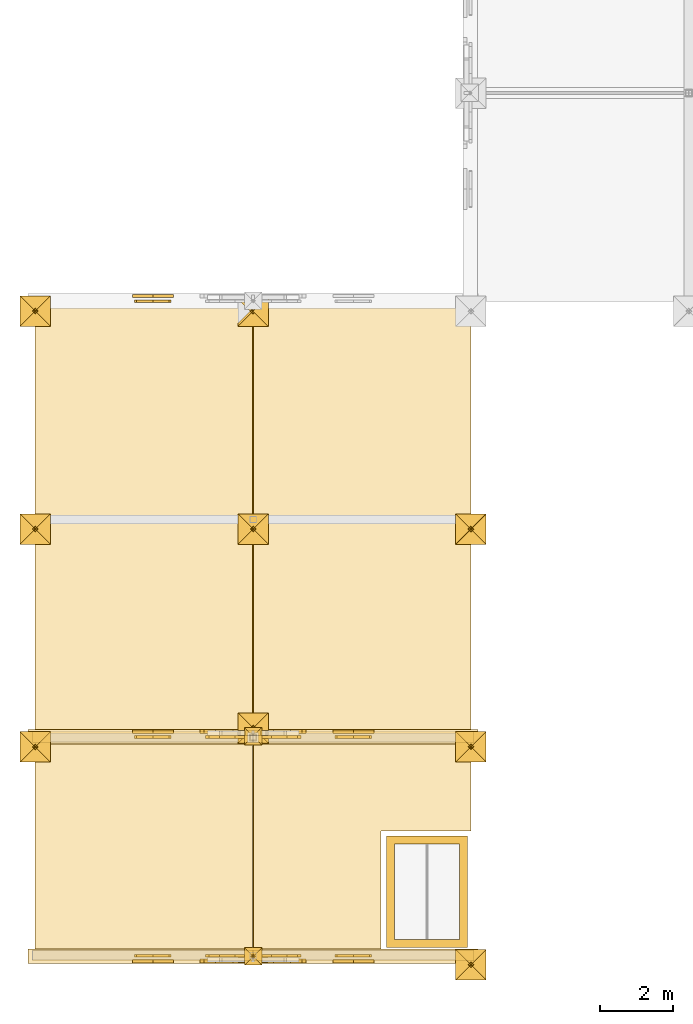
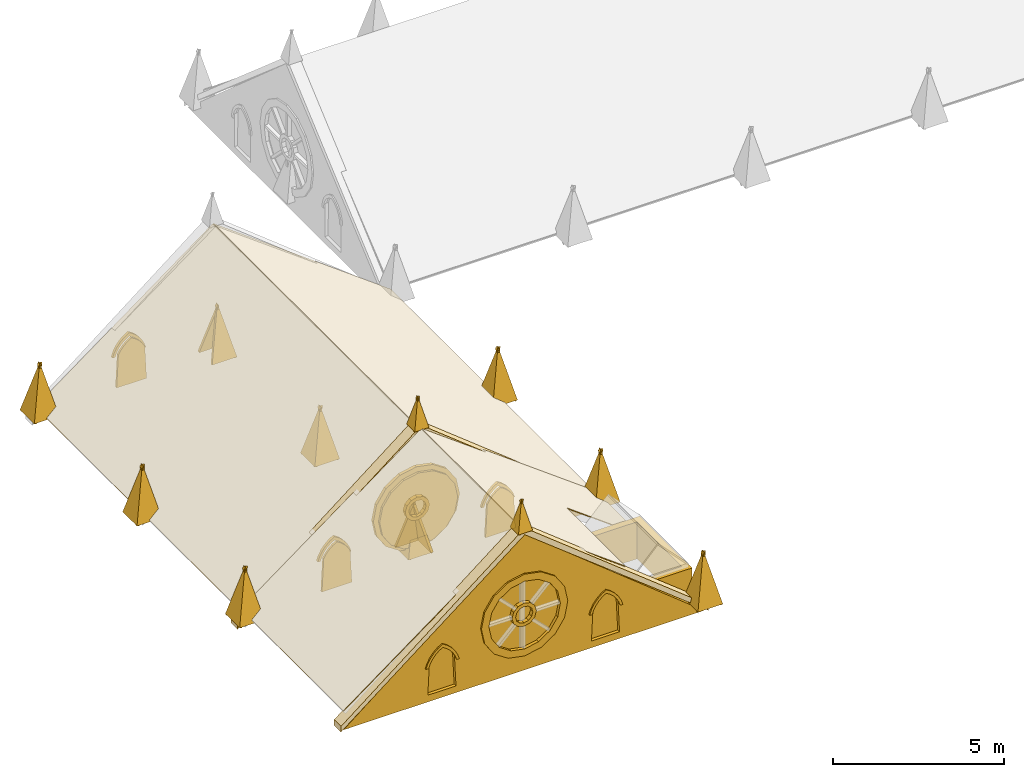
# One storey, part 24 of 33: 68 coverings.
"""IFC4 building model written with IfcOpenShell, lengths in metres."""

from ifc_helpers import new_model, si_unit, direction, frame, origin, place, context, subcontext, project, spatial, polyline, outline, extrude, material, type_object, element, save


model = new_model("IFC4")

# Units and contexts
model_context = context("Model", 3, precision=1e-05, world=origin(), true_north=direction((0.0, 1.0)))
body_context = subcontext(model_context, "Body", "Model", "MODEL_VIEW")
ifc_project = project(units=[si_unit("LENGTHUNIT", "METRE"), si_unit("AREAUNIT", "SQUARE_METRE"), si_unit("VOLUMEUNIT", "CUBIC_METRE"), si_unit("PLANEANGLEUNIT", "RADIAN"), si_unit("MASSUNIT", "GRAM", prefix="KILO")], contexts=[model_context])

# Site, building, storey
site_placement = place(None, origin())
site = spatial("IfcSite", under=ifc_project, at=site_placement, CompositionType="ELEMENT")
building_placement = place(site_placement, origin())
building = spatial("IfcBuilding", under=site, at=building_placement, Name="Cumevento Cable Car Station", CompositionType="ELEMENT")
storey_placement = place(building_placement, frame((0.0, 0.0, 22.5)))
storey = spatial("IfcBuildingStorey", under=building, at=storey_placement, Name="RF", CompositionType="ELEMENT", Elevation=22.5)

# Coverings
ifc_material_1 = material(Name="Standing-Seam Zinc-Titanium Roof Sheet", Category="steel")
covering_type_1 = type_object("IfcCoveringType", Name="Standing-Seam Zinc Roofing CV-RF01", PredefinedType="ROOFING", material=ifc_material_1)
covering_1_placement = place(storey_placement, frame((10.0, 33.0, 0.489990234375), z_axis=(-0.595687400945, 0.0, 0.803216359616), x_axis=(0.0, -1.0, 0.0)))
element("IfcCovering", 1, at=covering_1_placement, inside=storey, type_object=covering_type_1, Name="Standing-Seam Zinc Roof Covering #35", PredefinedType="ROOFING", context=body_context, shape_type="SweptSolid", body=[
    extrude(outline(polyline([(0.0, 0.0), (6.0, 0.0), (6.0, 7.4514261944767135), (0.0, 7.4514261944767135), (0.0, 0.0)])), origin(), (0.0, 0.0, -1.0), 0.02587890625),
])
covering_2_placement = place(storey_placement, frame((16.014892578125, 33.0, 4.9287109375), z_axis=(0.595694544947, -9.689588e-06, 0.80321106132), x_axis=(-5.772035e-06, -0.999999999953, -7.782784e-06)))
element("IfcCovering", 2, at=covering_2_placement, inside=storey, type_object=covering_type_1, Name="Standing-Seam Zinc Roof Covering #36", PredefinedType="ROOFING", context=body_context, shape_type="SweptSolid", body=[
    extrude(outline(polyline([(0.0, 0.0), (5.9999999997183355, 0.0), (6.000000000202813, 4.36392986396565), (2.5800781253633582, 4.36392986396565), (2.580078124236701, 7.451426194181976), (-6.421800784214382e-10, 7.451426194181976), (0.0, 0.0)])), origin(), (0.0, 0.0, -1.0), 0.02587890625),
])
for number, where, z_axis, x_axis, name in (
    (3, (10.0, 45.0, 0.42138671875), (-0.595687400945, 0.0, 0.803216359616), (0.0, -1.0, 0.0), "Standing-Seam Zinc Roof Covering #37"),
    (4, (16.014892578125, 45.0, 4.860107421875), (0.595687400945, 0.0, 0.803216359616), (0.0, -1.0, 0.0), "Standing-Seam Zinc Roof Covering #38"),
):
    element("IfcCovering", number, at=place(storey_placement, frame(where, z_axis=z_axis, x_axis=x_axis)), inside=storey, type_object=covering_type_1, Name=name, PredefinedType="ROOFING", context=body_context, shape_type="SweptSolid", body=[
        extrude(outline(polyline([(0.0, 0.0), (12.0, 0.0), (12.0, 7.4514261944767135), (0.0, 7.4514261944767135), (0.0, 0.0)])), origin(), (0.0, 0.0, -1.0), 0.02587890625),
    ])
ifc_material_2 = material(Name="Gnaisse Facoidal Stone Ashlar 85 MPa", Category="masonry")
covering_type_2 = type_object("IfcCoveringType", Name="Gnaisse Ashlar Cladding CV-CL01", PredefinedType="CLADDING", material=ifc_material_2)
for number, where, z_axis, x_axis, name in (
    (5, (9.580078125, 33.159912109375, 0.3701171875), (0.0, 0.973845107191, 0.227212911607), (1.0, 0.0, 0.0), "Gothic Buttress Pinnacle Spire Facet 1 bt:10.0:33.0"),
    (6, (10.419921875, 33.159912109375, 0.3701171875), (0.973845107191, 0.0, 0.227212911607), (0.0, -1.0, 0.0), "Gothic Buttress Pinnacle Spire Facet 2 bt:10.0:33.0"),
    (7, (10.419921875, 32.320068359375, 0.3701171875), (0.0, -0.973845107191, 0.227212911607), (-1.0, 0.0, 0.0), "Gothic Buttress Pinnacle Spire Facet 3 bt:10.0:33.0"),
    (8, (9.580078125, 32.320068359375, 0.3701171875), (-0.973845107191, 0.0, 0.227212911607), (0.0, 1.0, 0.0), "Gothic Buttress Pinnacle Spire Facet 4 bt:10.0:33.0"),
    (9, (9.580078125, 39.159912109375, 0.3701171875), (0.0, 0.973845107191, 0.227212911607), (1.0, 0.0, 0.0), "Gothic Buttress Pinnacle Spire Facet 1 bt:10.0:39.0"),
    (10, (10.419921875, 39.159912109375, 0.3701171875), (0.973845107191, 0.0, 0.227212911607), (0.0, -1.0, 0.0), "Gothic Buttress Pinnacle Spire Facet 2 bt:10.0:39.0"),
    (11, (10.419921875, 38.320068359375, 0.3701171875), (0.0, -0.973845107191, 0.227212911607), (-1.0, 0.0, 0.0), "Gothic Buttress Pinnacle Spire Facet 3 bt:10.0:39.0"),
    (12, (9.580078125, 38.320068359375, 0.3701171875), (-0.973845107191, 0.0, 0.227212911607), (0.0, 1.0, 0.0), "Gothic Buttress Pinnacle Spire Facet 4 bt:10.0:39.0"),
    (13, (9.580078125, 45.159912109375, 0.3701171875), (0.0, 0.973845107191, 0.227212911607), (1.0, 0.0, 0.0), "Gothic Buttress Pinnacle Spire Facet 1 bt:10.0:45.0"),
    (14, (10.419921875, 45.159912109375, 0.3701171875), (0.973845107191, 0.0, 0.227212911607), (0.0, -1.0, 0.0), "Gothic Buttress Pinnacle Spire Facet 2 bt:10.0:45.0"),
    (15, (10.419921875, 44.320068359375, 0.3701171875), (0.0, -0.973845107191, 0.227212911607), (-1.0, 0.0, 0.0), "Gothic Buttress Pinnacle Spire Facet 3 bt:10.0:45.0"),
    (16, (9.580078125, 44.320068359375, 0.3701171875), (-0.973845107191, 0.0, 0.227212911607), (0.0, 1.0, 0.0), "Gothic Buttress Pinnacle Spire Facet 4 bt:10.0:45.0"),
    (17, (16.419921875, 32.840087890625, 0.3701171875), (0.0, -0.973845107191, 0.227212911607), (-1.0, 0.0, 0.0), "Gothic Buttress Pinnacle Spire Facet 1 bt:16.0:33.0"),
    (18, (15.580078125, 32.840087890625, 0.3701171875), (-0.973845107191, 0.0, 0.227212911607), (0.0, 1.0, 0.0), "Gothic Buttress Pinnacle Spire Facet 2 bt:16.0:33.0"),
    (19, (15.580078125, 33.679931640625, 0.3701171875), (0.0, 0.973845107191, 0.227212911607), (1.0, 0.0, 0.0), "Gothic Buttress Pinnacle Spire Facet 3 bt:16.0:33.0"),
    (20, (16.419921875, 33.679931640625, 0.3701171875), (0.973845107191, 0.0, 0.227212911607), (0.0, -1.0, 0.0), "Gothic Buttress Pinnacle Spire Facet 4 bt:16.0:33.0"),
    (21, (15.580078125, 39.159912109375, 0.3701171875), (0.0, 0.973845107191, 0.227212911607), (1.0, 0.0, 0.0), "Gothic Buttress Pinnacle Spire Facet 1 bt:16.0:39.0"),
    (22, (16.419921875, 39.159912109375, 0.3701171875), (0.973845107191, 0.0, 0.227212911607), (0.0, -1.0, 0.0), "Gothic Buttress Pinnacle Spire Facet 2 bt:16.0:39.0"),
    (23, (16.419921875, 38.320068359375, 0.3701171875), (0.0, -0.973845107191, 0.227212911607), (-1.0, 0.0, 0.0), "Gothic Buttress Pinnacle Spire Facet 3 bt:16.0:39.0"),
    (24, (15.580078125, 38.320068359375, 0.3701171875), (-0.973845107191, 0.0, 0.227212911607), (0.0, 1.0, 0.0), "Gothic Buttress Pinnacle Spire Facet 4 bt:16.0:39.0"),
    (25, (15.580078125, 45.159912109375, 0.3701171875), (0.0, 0.973845107191, 0.227212911607), (1.0, 0.0, 0.0), "Gothic Buttress Pinnacle Spire Facet 1 bt:16.0:45.0"),
    (26, (16.419921875, 45.159912109375, 0.3701171875), (0.973845107191, 0.0, 0.227212911607), (0.0, -1.0, 0.0), "Gothic Buttress Pinnacle Spire Facet 2 bt:16.0:45.0"),
    (27, (16.419921875, 44.320068359375, 0.3701171875), (0.0, -0.973845107191, 0.227212911607), (-1.0, 0.0, 0.0), "Gothic Buttress Pinnacle Spire Facet 3 bt:16.0:45.0"),
    (28, (21.580078125, 27.159912109375, 0.3701171875), (0.0, 0.973845107191, 0.227212911607), (1.0, 0.0, 0.0), "Gothic Buttress Pinnacle Spire Facet 1 bt:22.0:27.0"),
    (29, (22.419921875, 27.159912109375, 0.3701171875), (0.973845107191, 0.0, 0.227212911607), (0.0, -1.0, 0.0), "Gothic Buttress Pinnacle Spire Facet 2 bt:22.0:27.0"),
    (30, (22.419921875, 26.320068359375, 0.3701171875), (0.0, -0.973845107191, 0.227212911607), (-1.0, 0.0, 0.0), "Gothic Buttress Pinnacle Spire Facet 3 bt:22.0:27.0"),
    (31, (21.580078125, 26.320068359375, 0.3701171875), (-0.973845107191, 0.0, 0.227212911607), (0.0, 1.0, 0.0), "Gothic Buttress Pinnacle Spire Facet 4 bt:22.0:27.0"),
    (32, (21.580078125, 33.159912109375, 0.3701171875), (0.0, 0.973845107191, 0.227212911607), (1.0, 0.0, 0.0), "Gothic Buttress Pinnacle Spire Facet 1 bt:22.0:33.0"),
    (33, (22.419921875, 33.159912109375, 0.3701171875), (0.973845107191, 0.0, 0.227212911607), (0.0, -1.0, 0.0), "Gothic Buttress Pinnacle Spire Facet 2 bt:22.0:33.0"),
    (34, (22.419921875, 32.320068359375, 0.3701171875), (0.0, -0.973845107191, 0.227212911607), (-1.0, 0.0, 0.0), "Gothic Buttress Pinnacle Spire Facet 3 bt:22.0:33.0"),
    (35, (21.580078125, 32.320068359375, 0.3701171875), (-0.973845107191, 0.0, 0.227212911607), (0.0, 1.0, 0.0), "Gothic Buttress Pinnacle Spire Facet 4 bt:22.0:33.0"),
    (36, (21.580078125, 39.159912109375, 0.3701171875), (0.0, 0.973845107191, 0.227212911607), (1.0, 0.0, 0.0), "Gothic Buttress Pinnacle Spire Facet 1 bt:22.0:39.0"),
    (37, (22.419921875, 39.159912109375, 0.3701171875), (0.973845107191, 0.0, 0.227212911607), (0.0, -1.0, 0.0), "Gothic Buttress Pinnacle Spire Facet 2 bt:22.0:39.0"),
    (38, (22.419921875, 38.320068359375, 0.3701171875), (0.0, -0.973845107191, 0.227212911607), (-1.0, 0.0, 0.0), "Gothic Buttress Pinnacle Spire Facet 3 bt:22.0:39.0"),
    (39, (21.580078125, 38.320068359375, 0.3701171875), (-0.973845107191, 0.0, 0.227212911607), (0.0, 1.0, 0.0), "Gothic Buttress Pinnacle Spire Facet 4 bt:22.0:39.0"),
):
    element("IfcCovering", number, at=place(storey_placement, frame(where, z_axis=z_axis, x_axis=x_axis)), inside=storey, type_object=covering_type_2, Name=name, PredefinedType="CLADDING", context=body_context, shape_type="SweptSolid", body=[
        extrude(outline(polyline([(0.0, 0.0), (0.83984375, 0.0), (0.419921875, -1.848142660686801), (0.0, 0.0)])), origin(), (0.0, 0.0, -1.0), 0.0849609375),
    ])
placement_1 = place(storey_placement, frame((22.0, 27.0, 0.0), z_axis=(0.0, 0.0, 1.0), x_axis=(-1.0, 0.0, 0.0)))
element("IfcCovering", 40, at=placement_1, inside=storey, type_object=covering_type_2, Name="Gothic Stone Gable Tympanum wing_B_V6b_core_S", PredefinedType="CLADDING", context=body_context, shape_type="SweptSolid", body=[
    extrude(outline(polyline([(-0.080078125, -0.06005859375), (12.080078125, -0.06005859375), (6.0, 4.81005859375), (-0.080078125, -0.06005859375)]), holes=[polyline([(7.277099609375, 1.939208984375), (7.179931640625, 2.427978515625), (6.903076171875, 2.84228515625), (6.48876953125, 3.119140625), (6.0, 3.21630859375), (5.51123046875, 3.119140625), (5.096923828125, 2.84228515625), (4.820068359375, 2.427978515625), (4.722900390625, 1.939208984375), (4.820068359375, 1.45068359375), (5.096923828125, 1.0361328125), (5.51123046875, 0.759521484375), (6.0, 0.662109375), (6.48876953125, 0.759521484375), (6.903076171875, 1.0361328125), (7.179931640625, 1.45068359375), (7.277099609375, 1.939208984375)]), polyline([(2.764892578125, 0.179931640625), (3.715087890625, 0.179931640625), (3.662109375, 1.29736328125), (3.5859375, 1.43408203125), (3.48828125, 1.556396484375), (3.3720703125, 1.660888671875), (3.239990234375, 1.744873046875), (3.10791015625, 1.660888671875), (2.99169921875, 1.556396484375), (2.89404296875, 1.43408203125), (2.81787109375, 1.29736328125), (2.764892578125, 0.179931640625)]), polyline([(8.284912109375, 0.179931640625), (9.235107421875, 0.179931640625), (9.182373046875, 1.29736328125), (9.10595703125, 1.43408203125), (9.00830078125, 1.556396484375), (8.89208984375, 1.660888671875), (8.760009765625, 1.744873046875), (8.6279296875, 1.660888671875), (8.51171875, 1.556396484375), (8.4140625, 1.43408203125), (8.337646484375, 1.29736328125), (8.284912109375, 0.179931640625)])]), frame((0.0, 0.159912109375, 0.0), z_axis=(0.0, -1.0, 0.0), x_axis=(1.0, 0.0, 0.0)), (0.0, 0.0, 1.0), 0.300048828125),
])
element("IfcCovering", 41, at=placement_1, inside=storey, type_object=covering_type_2, Name="Gothic Gable Recessed Tracery Backing wing_B_V6b_core_S rose", PredefinedType="CLADDING", context=body_context, shape_type="SweptSolid", body=[
    extrude(outline(polyline([(7.317138671875, 1.939208984375), (7.216796875, 2.443359375), (6.931396484375, 2.87060546875), (6.504150390625, 3.15625), (6.0, 3.25634765625), (5.495849609375, 3.15625), (5.068603515625, 2.87060546875), (4.783203125, 2.443359375), (4.682861328125, 1.939208984375), (4.783203125, 1.435302734375), (5.068603515625, 1.008056640625), (5.495849609375, 0.722412109375), (6.0, 0.622314453125), (6.504150390625, 0.722412109375), (6.931396484375, 1.008056640625), (7.216796875, 1.435302734375), (7.317138671875, 1.939208984375)])), frame((0.0, 0.050048828125, 0.0), z_axis=(0.0, -1.0, 0.0), x_axis=(1.0, 0.0, 0.0)), (0.0, 0.0, 1.0), 0.074951171875),
])
element("IfcCovering", 42, at=placement_1, inside=storey, type_object=covering_type_2, Name="Gothic Gable Recessed Tracery Backing wing_B_V6b_core_S lancet_0", PredefinedType="CLADDING", context=body_context, shape_type="SweptSolid", body=[
    extrude(outline(polyline([(2.735107421875, 0.14990234375), (3.7451171875, 0.14990234375), (3.686767578125, 1.3037109375), (3.60498046875, 1.44482421875), (3.501220703125, 1.57080078125), (3.37841796875, 1.678466796875), (3.239990234375, 1.764892578125), (3.1015625, 1.678466796875), (2.978759765625, 1.57080078125), (2.875, 1.44482421875), (2.793212890625, 1.3037109375), (2.735107421875, 0.14990234375)])), frame((0.0, 0.050048828125, 0.0), z_axis=(0.0, -1.0, 0.0), x_axis=(1.0, 0.0, 0.0)), (0.0, 0.0, 1.0), 0.074951171875),
])
element("IfcCovering", 43, at=placement_1, inside=storey, type_object=covering_type_2, Name="Gothic Gable Recessed Tracery Backing wing_B_V6b_core_S lancet_1", PredefinedType="CLADDING", context=body_context, shape_type="SweptSolid", body=[
    extrude(outline(polyline([(8.2548828125, 0.14990234375), (9.264892578125, 0.14990234375), (9.20703125, 1.3037109375), (9.125, 1.44482421875), (9.021240234375, 1.57080078125), (8.8984375, 1.678466796875), (8.760009765625, 1.764892578125), (8.62158203125, 1.678466796875), (8.498779296875, 1.57080078125), (8.39501953125, 1.44482421875), (8.31298828125, 1.3037109375), (8.2548828125, 0.14990234375)])), frame((0.0, 0.050048828125, 0.0), z_axis=(0.0, -1.0, 0.0), x_axis=(1.0, 0.0, 0.0)), (0.0, 0.0, 1.0), 0.074951171875),
])
element("IfcCovering", 44, at=placement_1, inside=storey, type_object=covering_type_2, Name="Gothic 16-Sided Stone Rose Window Ring wing_B_V6b_core_S", PredefinedType="CLADDING", context=body_context, shape_type="SweptSolid", body=[
    extrude(outline(polyline([(7.45703125, 1.939208984375), (7.34619140625, 2.496826171875), (7.0302734375, 2.9697265625), (6.5576171875, 3.285400390625), (6.0, 3.396484375), (5.4423828125, 3.285400390625), (4.9697265625, 2.9697265625), (4.65380859375, 2.496826171875), (4.54296875, 1.939208984375), (4.65380859375, 1.381591796875), (4.9697265625, 0.908935546875), (5.4423828125, 0.593017578125), (6.0, 0.482177734375), (6.5576171875, 0.593017578125), (7.0302734375, 0.908935546875), (7.34619140625, 1.381591796875), (7.45703125, 1.939208984375)]), holes=[polyline([(7.20703125, 1.939208984375), (7.115234375, 2.401123046875), (6.853515625, 2.79296875), (6.4619140625, 3.054443359375), (6.0, 3.146484375), (5.5380859375, 3.054443359375), (5.146484375, 2.79296875), (4.884765625, 2.401123046875), (4.79296875, 1.939208984375), (4.884765625, 1.477294921875), (5.146484375, 1.085693359375), (5.5380859375, 0.823974609375), (6.0, 0.732177734375), (6.4619140625, 0.823974609375), (6.853515625, 1.085693359375), (7.115234375, 1.477294921875), (7.20703125, 1.939208984375)])]), frame((0.0, 0.215087890625, 0.0), z_axis=(0.0, -1.0, 0.0), x_axis=(1.0, 0.0, 0.0)), (0.0, 0.0, 1.0), 0.110107421875),
])
element("IfcCovering", 45, at=placement_1, inside=storey, type_object=covering_type_2, Name="Gothic Rose Central Stone Oculus Hub wing_B_V6b_core_S", PredefinedType="CLADDING", context=body_context, shape_type="SweptSolid", body=[
    extrude(outline(polyline([(6.412109375, 1.939208984375), (6.356689453125, 2.145263671875), (6.2060546875, 2.296142578125), (6.0, 2.351318359375), (5.7939453125, 2.296142578125), (5.643310546875, 2.145263671875), (5.587890625, 1.939208984375), (5.643310546875, 1.7333984375), (5.7939453125, 1.58251953125), (6.0, 1.52734375), (6.2060546875, 1.58251953125), (6.356689453125, 1.7333984375), (6.412109375, 1.939208984375)]), holes=[polyline([(6.2919921875, 1.939208984375), (6.2529296875, 2.085205078125), (6.14599609375, 2.192138671875), (6.0, 2.231201171875), (5.85400390625, 2.192138671875), (5.7470703125, 2.085205078125), (5.7080078125, 1.939208984375), (5.7470703125, 1.793212890625), (5.85400390625, 1.6865234375), (6.0, 1.647216796875), (6.14599609375, 1.6865234375), (6.2529296875, 1.793212890625), (6.2919921875, 1.939208984375)])]), frame((0.0, 0.18994140625, 0.0), z_axis=(0.0, -1.0, 0.0), x_axis=(1.0, 0.0, 0.0)), (0.0, 0.0, 1.0), 0.139892578125),
])
element("IfcCovering", 46, at=placement_1, inside=storey, type_object=covering_type_2, Name="Gable Lancet Stone Hood Moulding wing_B_V6b_core_S #1", PredefinedType="CLADDING", context=body_context, shape_type="SweptSolid", body=[
    extrude(outline(polyline([(2.764892578125, 1.150146484375), (2.81787109375, 1.29736328125), (2.89404296875, 1.43408203125), (2.99169921875, 1.556396484375), (3.10791015625, 1.660888671875), (3.239990234375, 1.744873046875), (3.3720703125, 1.660888671875), (3.48828125, 1.556396484375), (3.5859375, 1.43408203125), (3.662109375, 1.29736328125), (3.715087890625, 1.150146484375), (3.804931640625, 1.150146484375), (3.742919921875, 1.326904296875), (3.65283203125, 1.4912109375), (3.53662109375, 1.637939453125), (3.397705078125, 1.763671875), (3.239990234375, 1.86474609375), (3.082275390625, 1.763671875), (2.943359375, 1.637939453125), (2.8271484375, 1.4912109375), (2.737060546875, 1.326904296875), (2.675048828125, 1.150146484375), (2.764892578125, 1.150146484375)])), frame((0.0, 0.205078125, 0.0), z_axis=(0.0, -1.0, 0.0), x_axis=(1.0, 0.0, 0.0)), (0.0, 0.0, 1.0), 0.090087890625),
])
element("IfcCovering", 47, at=placement_1, inside=storey, type_object=covering_type_2, Name="Gable Lancet Stone Hood Moulding wing_B_V6b_core_S #2", PredefinedType="CLADDING", context=body_context, shape_type="SweptSolid", body=[
    extrude(outline(polyline([(8.284912109375, 1.150146484375), (8.337646484375, 1.29736328125), (8.4140625, 1.43408203125), (8.51171875, 1.556396484375), (8.6279296875, 1.660888671875), (8.760009765625, 1.744873046875), (8.89208984375, 1.660888671875), (9.00830078125, 1.556396484375), (9.10595703125, 1.43408203125), (9.182373046875, 1.29736328125), (9.235107421875, 1.150146484375), (9.324951171875, 1.150146484375), (9.262939453125, 1.326904296875), (9.1728515625, 1.4912109375), (9.056640625, 1.637939453125), (8.917724609375, 1.763671875), (8.760009765625, 1.86474609375), (8.602294921875, 1.763671875), (8.46337890625, 1.637939453125), (8.34716796875, 1.4912109375), (8.257080078125, 1.326904296875), (8.195068359375, 1.150146484375), (8.284912109375, 1.150146484375)])), frame((0.0, 0.205078125, 0.0), z_axis=(0.0, -1.0, 0.0), x_axis=(1.0, 0.0, 0.0)), (0.0, 0.0, 1.0), 0.090087890625),
])
element("IfcCovering", 48, at=placement_1, inside=storey, type_object=covering_type_2, Name="Raking Gothic Stone Gable Coping wing_B_V6b_core_S", PredefinedType="CLADDING", context=body_context, shape_type="SweptSolid", body=[
    extrude(outline(polyline([(-0.199951171875, -0.06005859375), (6.0, 4.81005859375), (12.199951171875, -0.06005859375), (12.199951171875, 0.139892578125), (6.0, 5.050048828125), (-0.199951171875, 0.139892578125), (-0.199951171875, -0.06005859375)])), frame((0.0, 0.219970703125, 0.0), z_axis=(0.0, -1.0, 0.0), x_axis=(1.0, 0.0, 0.0)), (0.0, 0.0, 1.0), 0.39990234375),
])
for number, where, z_axis, x_axis, name in (
    (49, (16.239990234375, 27.2099609375, 4.909912109375), (0.0, 0.97486272659, 0.222806338116), (-1.0, 0.0, 0.0), "Gothic Gable Finial Spire Facet 1 wing_B_V6b_core_S"),
    (50, (15.760009765625, 27.2099609375, 4.909912109375), (-0.97486272659, 0.0, 0.222806338116), (0.0, -1.0, 0.0), "Gothic Gable Finial Spire Facet 2 wing_B_V6b_core_S"),
    (51, (15.760009765625, 26.72998046875, 4.909912109375), (0.0, -0.97486272659, 0.222806338116), (1.0, 0.0, 0.0), "Gothic Gable Finial Spire Facet 3 wing_B_V6b_core_S"),
    (52, (16.239990234375, 26.72998046875, 4.909912109375), (0.97486272659, 0.0, 0.222806338116), (0.0, 1.0, 0.0), "Gothic Gable Finial Spire Facet 4 wing_B_V6b_core_S"),
):
    element("IfcCovering", number, at=place(storey_placement, frame(where, z_axis=z_axis, x_axis=x_axis)), inside=storey, type_object=covering_type_2, Name=name, PredefinedType="CLADDING", context=body_context, shape_type="SweptSolid", body=[
        extrude(outline(polyline([(0.0, 0.0), (0.47998046875, 0.0), (0.239990234375, 1.0771248089437238), (0.0, 0.0)])), origin(), (0.0, 0.0, -1.0), 0.06494140625),
    ])
placement_2 = place(storey_placement, frame((10.0, 33.0, 0.0), z_axis=(0.0, 0.0, 1.0), x_axis=(1.0, 0.0, 0.0)))
element("IfcCovering", 53, at=placement_2, inside=storey, type_object=covering_type_2, Name="Gothic Stone Gable Tympanum wing_B_V6b_core_N", PredefinedType="CLADDING", context=body_context, shape_type="SweptSolid", body=[
    extrude(outline(polyline([(-0.080078125, -0.06005859375), (12.080078125, -0.06005859375), (6.0, 4.81005859375), (-0.080078125, -0.06005859375)]), holes=[polyline([(7.277099609375, 1.939208984375), (7.179931640625, 2.427978515625), (6.903076171875, 2.84228515625), (6.48876953125, 3.119140625), (6.0, 3.21630859375), (5.51123046875, 3.119140625), (5.096923828125, 2.84228515625), (4.820068359375, 2.427978515625), (4.722900390625, 1.939208984375), (4.820068359375, 1.45068359375), (5.096923828125, 1.0361328125), (5.51123046875, 0.759521484375), (6.0, 0.662109375), (6.48876953125, 0.759521484375), (6.903076171875, 1.0361328125), (7.179931640625, 1.45068359375), (7.277099609375, 1.939208984375)]), polyline([(2.764892578125, 0.179931640625), (3.715087890625, 0.179931640625), (3.662109375, 1.29736328125), (3.5859375, 1.43408203125), (3.48828125, 1.556396484375), (3.3720703125, 1.660888671875), (3.239990234375, 1.744873046875), (3.10791015625, 1.660888671875), (2.99169921875, 1.556396484375), (2.89404296875, 1.43408203125), (2.81787109375, 1.29736328125), (2.764892578125, 0.179931640625)]), polyline([(8.284912109375, 0.179931640625), (9.235107421875, 0.179931640625), (9.182373046875, 1.29736328125), (9.10595703125, 1.43408203125), (9.00830078125, 1.556396484375), (8.89208984375, 1.660888671875), (8.760009765625, 1.744873046875), (8.6279296875, 1.660888671875), (8.51171875, 1.556396484375), (8.4140625, 1.43408203125), (8.337646484375, 1.29736328125), (8.284912109375, 0.179931640625)])]), frame((0.0, 0.159912109375, 0.0), z_axis=(0.0, -1.0, 0.0), x_axis=(1.0, 0.0, 0.0)), (0.0, 0.0, 1.0), 0.300048828125),
])
element("IfcCovering", 54, at=placement_2, inside=storey, type_object=covering_type_2, Name="Gothic Gable Recessed Tracery Backing wing_B_V6b_core_N rose", PredefinedType="CLADDING", context=body_context, shape_type="SweptSolid", body=[
    extrude(outline(polyline([(7.317138671875, 1.939208984375), (7.216796875, 2.443359375), (6.931396484375, 2.87060546875), (6.504150390625, 3.15625), (6.0, 3.25634765625), (5.495849609375, 3.15625), (5.068603515625, 2.87060546875), (4.783203125, 2.443359375), (4.682861328125, 1.939208984375), (4.783203125, 1.435302734375), (5.068603515625, 1.008056640625), (5.495849609375, 0.722412109375), (6.0, 0.622314453125), (6.504150390625, 0.722412109375), (6.931396484375, 1.008056640625), (7.216796875, 1.435302734375), (7.317138671875, 1.939208984375)])), frame((0.0, 0.050048828125, 0.0), z_axis=(0.0, -1.0, 0.0), x_axis=(1.0, 0.0, 0.0)), (0.0, 0.0, 1.0), 0.074951171875),
])
element("IfcCovering", 55, at=placement_2, inside=storey, type_object=covering_type_2, Name="Gothic Gable Recessed Tracery Backing wing_B_V6b_core_N lancet_0", PredefinedType="CLADDING", context=body_context, shape_type="SweptSolid", body=[
    extrude(outline(polyline([(2.735107421875, 0.14990234375), (3.7451171875, 0.14990234375), (3.686767578125, 1.3037109375), (3.60498046875, 1.44482421875), (3.501220703125, 1.57080078125), (3.37841796875, 1.678466796875), (3.239990234375, 1.764892578125), (3.1015625, 1.678466796875), (2.978759765625, 1.57080078125), (2.875, 1.44482421875), (2.793212890625, 1.3037109375), (2.735107421875, 0.14990234375)])), frame((0.0, 0.050048828125, 0.0), z_axis=(0.0, -1.0, 0.0), x_axis=(1.0, 0.0, 0.0)), (0.0, 0.0, 1.0), 0.074951171875),
])
element("IfcCovering", 56, at=placement_2, inside=storey, type_object=covering_type_2, Name="Gothic Gable Recessed Tracery Backing wing_B_V6b_core_N lancet_1", PredefinedType="CLADDING", context=body_context, shape_type="SweptSolid", body=[
    extrude(outline(polyline([(8.2548828125, 0.14990234375), (9.264892578125, 0.14990234375), (9.20703125, 1.3037109375), (9.125, 1.44482421875), (9.021240234375, 1.57080078125), (8.8984375, 1.678466796875), (8.760009765625, 1.764892578125), (8.62158203125, 1.678466796875), (8.498779296875, 1.57080078125), (8.39501953125, 1.44482421875), (8.31298828125, 1.3037109375), (8.2548828125, 0.14990234375)])), frame((0.0, 0.050048828125, 0.0), z_axis=(0.0, -1.0, 0.0), x_axis=(1.0, 0.0, 0.0)), (0.0, 0.0, 1.0), 0.074951171875),
])
element("IfcCovering", 57, at=placement_2, inside=storey, type_object=covering_type_2, Name="Gothic 16-Sided Stone Rose Window Ring wing_B_V6b_core_N", PredefinedType="CLADDING", context=body_context, shape_type="SweptSolid", body=[
    extrude(outline(polyline([(7.45703125, 1.939208984375), (7.34619140625, 2.496826171875), (7.0302734375, 2.9697265625), (6.5576171875, 3.285400390625), (6.0, 3.396484375), (5.4423828125, 3.285400390625), (4.9697265625, 2.9697265625), (4.65380859375, 2.496826171875), (4.54296875, 1.939208984375), (4.65380859375, 1.381591796875), (4.9697265625, 0.908935546875), (5.4423828125, 0.593017578125), (6.0, 0.482177734375), (6.5576171875, 0.593017578125), (7.0302734375, 0.908935546875), (7.34619140625, 1.381591796875), (7.45703125, 1.939208984375)]), holes=[polyline([(7.20703125, 1.939208984375), (7.115234375, 2.401123046875), (6.853515625, 2.79296875), (6.4619140625, 3.054443359375), (6.0, 3.146484375), (5.5380859375, 3.054443359375), (5.146484375, 2.79296875), (4.884765625, 2.401123046875), (4.79296875, 1.939208984375), (4.884765625, 1.477294921875), (5.146484375, 1.085693359375), (5.5380859375, 0.823974609375), (6.0, 0.732177734375), (6.4619140625, 0.823974609375), (6.853515625, 1.085693359375), (7.115234375, 1.477294921875), (7.20703125, 1.939208984375)])]), frame((0.0, 0.215087890625, 0.0), z_axis=(0.0, -1.0, 0.0), x_axis=(1.0, 0.0, 0.0)), (0.0, 0.0, 1.0), 0.110107421875),
])
element("IfcCovering", 58, at=placement_2, inside=storey, type_object=covering_type_2, Name="Gothic Rose Central Stone Oculus Hub wing_B_V6b_core_N", PredefinedType="CLADDING", context=body_context, shape_type="SweptSolid", body=[
    extrude(outline(polyline([(6.412109375, 1.939208984375), (6.356689453125, 2.145263671875), (6.2060546875, 2.296142578125), (6.0, 2.351318359375), (5.7939453125, 2.296142578125), (5.643310546875, 2.145263671875), (5.587890625, 1.939208984375), (5.643310546875, 1.7333984375), (5.7939453125, 1.58251953125), (6.0, 1.52734375), (6.2060546875, 1.58251953125), (6.356689453125, 1.7333984375), (6.412109375, 1.939208984375)]), holes=[polyline([(6.2919921875, 1.939208984375), (6.2529296875, 2.085205078125), (6.14599609375, 2.192138671875), (6.0, 2.231201171875), (5.85400390625, 2.192138671875), (5.7470703125, 2.085205078125), (5.7080078125, 1.939208984375), (5.7470703125, 1.793212890625), (5.85400390625, 1.6865234375), (6.0, 1.647216796875), (6.14599609375, 1.6865234375), (6.2529296875, 1.793212890625), (6.2919921875, 1.939208984375)])]), frame((0.0, 0.18994140625, 0.0), z_axis=(0.0, -1.0, 0.0), x_axis=(1.0, 0.0, 0.0)), (0.0, 0.0, 1.0), 0.139892578125),
])
element("IfcCovering", 59, at=placement_2, inside=storey, type_object=covering_type_2, Name="Gable Lancet Stone Hood Moulding wing_B_V6b_core_N #1", PredefinedType="CLADDING", context=body_context, shape_type="SweptSolid", body=[
    extrude(outline(polyline([(2.764892578125, 1.150146484375), (2.81787109375, 1.29736328125), (2.89404296875, 1.43408203125), (2.99169921875, 1.556396484375), (3.10791015625, 1.660888671875), (3.239990234375, 1.744873046875), (3.3720703125, 1.660888671875), (3.48828125, 1.556396484375), (3.5859375, 1.43408203125), (3.662109375, 1.29736328125), (3.715087890625, 1.150146484375), (3.804931640625, 1.150146484375), (3.742919921875, 1.326904296875), (3.65283203125, 1.4912109375), (3.53662109375, 1.637939453125), (3.397705078125, 1.763671875), (3.239990234375, 1.86474609375), (3.082275390625, 1.763671875), (2.943359375, 1.637939453125), (2.8271484375, 1.4912109375), (2.737060546875, 1.326904296875), (2.675048828125, 1.150146484375), (2.764892578125, 1.150146484375)])), frame((0.0, 0.205078125, 0.0), z_axis=(0.0, -1.0, 0.0), x_axis=(1.0, 0.0, 0.0)), (0.0, 0.0, 1.0), 0.090087890625),
])
element("IfcCovering", 60, at=placement_2, inside=storey, type_object=covering_type_2, Name="Gable Lancet Stone Hood Moulding wing_B_V6b_core_N #2", PredefinedType="CLADDING", context=body_context, shape_type="SweptSolid", body=[
    extrude(outline(polyline([(8.284912109375, 1.150146484375), (8.337646484375, 1.29736328125), (8.4140625, 1.43408203125), (8.51171875, 1.556396484375), (8.6279296875, 1.660888671875), (8.760009765625, 1.744873046875), (8.89208984375, 1.660888671875), (9.00830078125, 1.556396484375), (9.10595703125, 1.43408203125), (9.182373046875, 1.29736328125), (9.235107421875, 1.150146484375), (9.324951171875, 1.150146484375), (9.262939453125, 1.326904296875), (9.1728515625, 1.4912109375), (9.056640625, 1.637939453125), (8.917724609375, 1.763671875), (8.760009765625, 1.86474609375), (8.602294921875, 1.763671875), (8.46337890625, 1.637939453125), (8.34716796875, 1.4912109375), (8.257080078125, 1.326904296875), (8.195068359375, 1.150146484375), (8.284912109375, 1.150146484375)])), frame((0.0, 0.205078125, 0.0), z_axis=(0.0, -1.0, 0.0), x_axis=(1.0, 0.0, 0.0)), (0.0, 0.0, 1.0), 0.090087890625),
])
element("IfcCovering", 61, at=placement_2, inside=storey, type_object=covering_type_2, Name="Raking Gothic Stone Gable Coping wing_B_V6b_core_N", PredefinedType="CLADDING", context=body_context, shape_type="SweptSolid", body=[
    extrude(outline(polyline([(-0.199951171875, -0.06005859375), (6.0, 4.81005859375), (12.199951171875, -0.06005859375), (12.199951171875, 0.139892578125), (6.0, 5.050048828125), (-0.199951171875, 0.139892578125), (-0.199951171875, -0.06005859375)])), frame((0.0, 0.219970703125, 0.0), z_axis=(0.0, -1.0, 0.0), x_axis=(1.0, 0.0, 0.0)), (0.0, 0.0, 1.0), 0.39990234375),
])
for number, where, z_axis, x_axis, name in (
    (62, (15.760009765625, 32.7900390625, 4.909912109375), (0.0, -0.97486272659, 0.222806338116), (1.0, 0.0, 0.0), "Gothic Gable Finial Spire Facet 1 wing_B_V6b_core_N"),
    (63, (16.239990234375, 32.7900390625, 4.909912109375), (0.97486272659, 0.0, 0.222806338116), (0.0, 1.0, 0.0), "Gothic Gable Finial Spire Facet 2 wing_B_V6b_core_N"),
    (64, (16.239990234375, 33.27001953125, 4.909912109375), (0.0, 0.97486272659, 0.222806338116), (-1.0, 0.0, 0.0), "Gothic Gable Finial Spire Facet 3 wing_B_V6b_core_N"),
    (65, (15.760009765625, 33.27001953125, 4.909912109375), (-0.97486272659, 0.0, 0.222806338116), (0.0, -1.0, 0.0), "Gothic Gable Finial Spire Facet 4 wing_B_V6b_core_N"),
):
    element("IfcCovering", number, at=place(storey_placement, frame(where, z_axis=z_axis, x_axis=x_axis)), inside=storey, type_object=covering_type_2, Name=name, PredefinedType="CLADDING", context=body_context, shape_type="SweptSolid", body=[
        extrude(outline(polyline([(0.0, 0.0), (0.47998046875, 0.0), (0.239990234375, 1.0771248089437238), (0.0, 0.0)])), origin(), (0.0, 0.0, -1.0), 0.06494140625),
    ])
placement_3 = place(storey_placement, frame((10.0, 45.0, 0.0), z_axis=(0.0, 0.0, 1.0), x_axis=(1.0, 0.0, 0.0)))
element("IfcCovering", 66, at=placement_3, inside=storey, type_object=covering_type_2, Name="Gothic Gable Recessed Tracery Backing wing_B_V6b_N lancet_0", PredefinedType="CLADDING", context=body_context, shape_type="SweptSolid", body=[
    extrude(outline(polyline([(2.735107421875, 0.14990234375), (3.7451171875, 0.14990234375), (3.686767578125, 1.3037109375), (3.60498046875, 1.44482421875), (3.501220703125, 1.57080078125), (3.37841796875, 1.678466796875), (3.239990234375, 1.764892578125), (3.1015625, 1.678466796875), (2.978759765625, 1.57080078125), (2.875, 1.44482421875), (2.793212890625, 1.3037109375), (2.735107421875, 0.14990234375)])), frame((0.0, 0.050048828125, 0.0), z_axis=(0.0, -1.0, 0.0), x_axis=(1.0, 0.0, 0.0)), (0.0, 0.0, 1.0), 0.074951171875),
])
element("IfcCovering", 67, at=placement_3, inside=storey, type_object=covering_type_2, Name="Gable Lancet Stone Hood Moulding wing_B_V6b_N #1", PredefinedType="CLADDING", context=body_context, shape_type="SweptSolid", body=[
    extrude(outline(polyline([(2.764892578125, 1.150146484375), (2.81787109375, 1.29736328125), (2.89404296875, 1.43408203125), (2.99169921875, 1.556396484375), (3.10791015625, 1.660888671875), (3.239990234375, 1.744873046875), (3.3720703125, 1.660888671875), (3.48828125, 1.556396484375), (3.5859375, 1.43408203125), (3.662109375, 1.29736328125), (3.715087890625, 1.150146484375), (3.804931640625, 1.150146484375), (3.742919921875, 1.326904296875), (3.65283203125, 1.4912109375), (3.53662109375, 1.637939453125), (3.397705078125, 1.763671875), (3.239990234375, 1.86474609375), (3.082275390625, 1.763671875), (2.943359375, 1.637939453125), (2.8271484375, 1.4912109375), (2.737060546875, 1.326904296875), (2.675048828125, 1.150146484375), (2.764892578125, 1.150146484375)])), frame((0.0, 0.205078125, 0.0), z_axis=(0.0, -1.0, 0.0), x_axis=(1.0, 0.0, 0.0)), (0.0, 0.0, 1.0), 0.090087890625),
])
covering_23_placement = place(storey_placement, frame((0.0, 0.0, -0.030029296875)))
element("IfcCovering", 68, at=covering_23_placement, inside=storey, type_object=covering_type_2, Name="Gothic Stone Lift Overrun Turret #3", PredefinedType="CLADDING", context=body_context, shape_type="SweptSolid", body=[
    extrude(outline(polyline([(19.679931640625, 27.219970703125), (19.679931640625, 30.280029296875), (21.89990234375, 30.280029296875), (21.89990234375, 27.219970703125), (19.679931640625, 27.219970703125)]), holes=[polyline([(21.679931640625, 30.06005859375), (19.89990234375, 30.06005859375), (19.89990234375, 27.43994140625), (21.679931640625, 27.43994140625), (21.679931640625, 30.06005859375)])]), origin(), (0.0, 0.0, 1.0), 1.320068359375),
])

save(model, "model.ifc")
